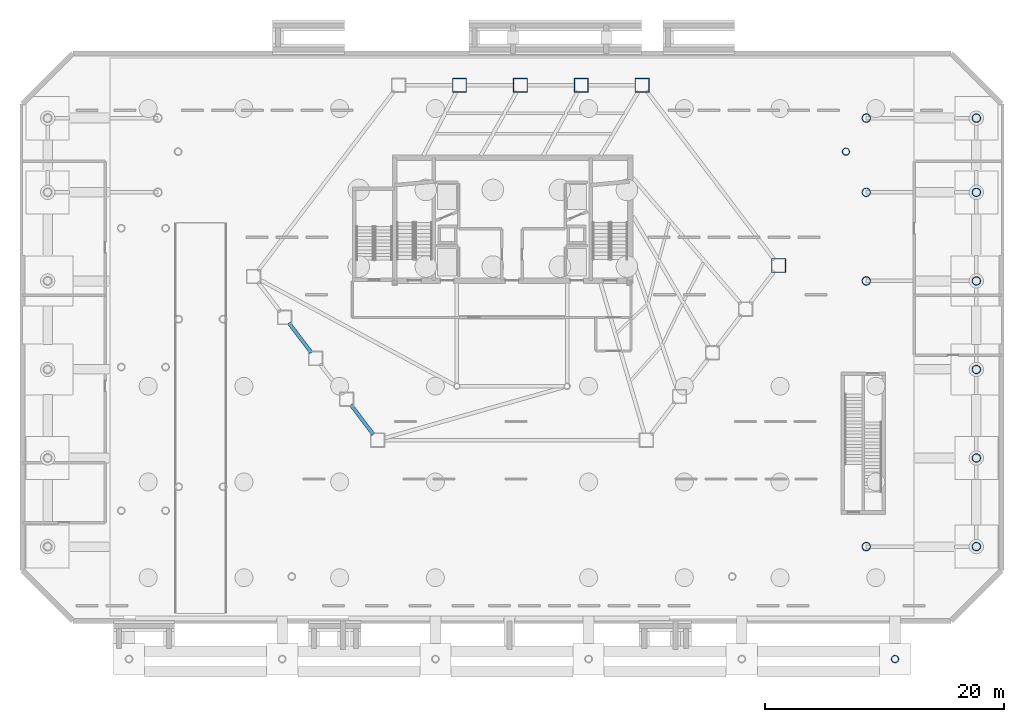
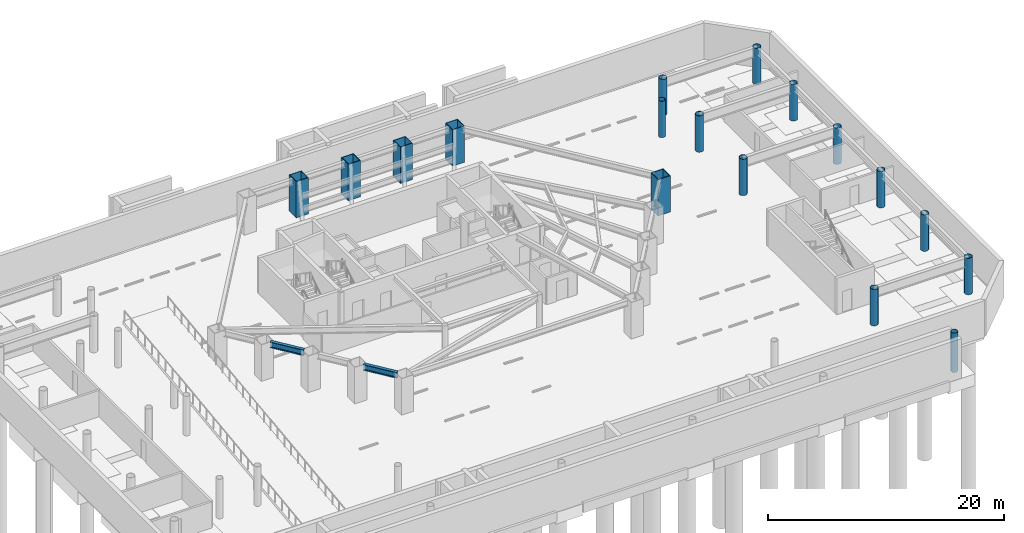
# One storey, part 6 of 19: 17 columns, 2 beams.
"""IFC4 building model written with IfcOpenShell, lengths in metres."""

from ifc_helpers import new_model, si_unit, direction, frame, origin, origin_2d, place, context, subcontext, project, spatial, hollow_rectangle, hollow_circle, i_section, extrude, material, material_profile, profile_set, type_object, element, save


model = new_model("IFC4")

# Units and contexts
model_context = context("Model", 3, precision=1e-05, world=origin(), true_north=direction((0.0, 1.0)))
body_context = subcontext(model_context, "Body", "Model", "MODEL_VIEW")
ifc_project = project(units=[si_unit("LENGTHUNIT", "METRE"), si_unit("AREAUNIT", "SQUARE_METRE"), si_unit("VOLUMEUNIT", "CUBIC_METRE"), si_unit("PLANEANGLEUNIT", "RADIAN"), si_unit("MASSUNIT", "GRAM", prefix="KILO")], contexts=[model_context])

# Site, building, storey
site_placement = place(None, origin())
site = spatial("IfcSite", under=ifc_project, at=site_placement, CompositionType="ELEMENT")
building_placement = place(site_placement, origin())
building = spatial("IfcBuilding", under=site, at=building_placement, Name="Zarrinselat Tower", CompositionType="ELEMENT")
storey_placement = place(building_placement, frame((0.0, 0.0, -8.159912109375)))
storey = spatial("IfcBuildingStorey", under=building, at=storey_placement, Name="B02", CompositionType="ELEMENT", Elevation=-8.159912109375)

# Columns
ifc_material_1 = material(Name="Steel S355J2", Category="steel")
ifc_material_profile_1 = material_profile(ifc_material_1, hollow_circle(Radius=0.304931640625, WallThickness=0.02490234375, at=origin_2d()), Name="CHS 610x25")
ifc_profile_set_1 = profile_set([ifc_material_profile_1], Name="Steel S355J2")
column_type_1 = type_object("IfcColumnType", Name="COL-CHS610", PredefinedType="COLUMN", material=ifc_profile_set_1)
column_1_placement = place(storey_placement, frame((70.39990234375, 1.60009765625, 0.0), z_axis=(0.0, 0.0, 1.0), x_axis=(1.0, 0.0, 0.0)))
element("IfcColumn", 1, at=column_1_placement, inside=storey, type_object=column_type_1, Name="B02 Forecourt Plaza Pier 6", PredefinedType="COLUMN", context=body_context, shape_type="SweptSolid", body=[
    extrude(hollow_circle(Radius=0.304931640625, WallThickness=0.02490234375, at=origin_2d()), origin(), (0.0, 0.0, 1.0), 4.079833984375),
])
column_2_placement = place(storey_placement, frame((66.300048828125, 44.0, 0.0), z_axis=(0.0, 0.0, 1.0), x_axis=(1.0, 0.0, 0.0)))
element("IfcColumn", 2, at=column_2_placement, inside=storey, type_object=column_type_1, Name="B02 Garden Deck Support Column 4", PredefinedType="COLUMN", context=body_context, shape_type="SweptSolid", body=[
    extrude(hollow_circle(Radius=0.304931640625, WallThickness=0.02490234375, at=origin_2d()), origin(), (0.0, 0.0, 1.0), 3.760009765625),
])
ifc_material_2 = material(Name="Steel S460M", Category="steel")
ifc_material_profile_2 = material_profile(ifc_material_2, hollow_circle(Radius=0.35546875, WallThickness=0.030029296875, at=origin_2d()), Name="CHS 711x30")
ifc_profile_set_2 = profile_set([ifc_material_profile_2], Name="Steel S460M")
column_type_2 = type_object("IfcColumnType", Name="COL-CHS711", PredefinedType="COLUMN", material=ifc_profile_set_2)
for number, where, z_axis, x_axis, name in (
    (3, (77.199951171875, 11.0, 0.0), (0.0, 0.0, 1.0), (1.0, 0.0, 0.0), "B02 Podium Outer Column E-11"),
    (4, (68.0, 11.0, 0.0), (0.0, 0.0, 1.0), (1.0, 0.0, 0.0), "B02 Podium Anchor Column E-11"),
    (5, (77.199951171875, 33.199951171875, 0.0), (0.0, 0.0, 1.0), (1.0, 0.0, 0.0), "B02 Podium Outer Column E-33"),
    (6, (68.0, 33.199951171875, 0.0), (0.0, 0.0, 1.0), (1.0, 0.0, 0.0), "B02 Podium Anchor Column E-33"),
    (7, (77.199951171875, 40.60009765625, 0.0), (0.0, 0.0, 1.0), (1.0, 0.0, 0.0), "B02 Podium Outer Column E-40"),
    (8, (68.0, 40.60009765625, 0.0), (0.0, 0.0, 1.0), (1.0, 0.0, 0.0), "B02 Podium Anchor Column E-40"),
    (9, (77.199951171875, 46.800048828125, 0.0), (0.0, 0.0, 1.0), (1.0, 0.0, 0.0), "B02 Podium Outer Column E-46"),
    (10, (68.0, 46.800048828125, 0.0), (0.0, 0.0, 1.0), (1.0, 0.0, 0.0), "B02 Podium Anchor Column E-46"),
    (11, (77.199951171875, 18.39990234375, 0.0), (0.0, 0.0, 1.0), (1.0, 0.0, 0.0), "B02 Lower Podium Column 05"),
    (12, (77.199951171875, 25.800048828125, 0.0), (0.0, 0.0, 1.0), (1.0, 0.0, 0.0), "B02 Lower Podium Column 06"),
):
    element("IfcColumn", number, at=place(storey_placement, frame(where, z_axis=z_axis, x_axis=x_axis)), inside=storey, type_object=column_type_2, Name=name, PredefinedType="COLUMN", context=body_context, shape_type="SweptSolid", body=[
        extrude(hollow_circle(Radius=0.35546875, WallThickness=0.030029296875, at=origin_2d()), origin(), (0.0, 0.0, 1.0), 3.760009765625),
    ])
ifc_material_3 = material(Name="Steel S460M", Category="steel")
ifc_material_profile_3 = material_profile(ifc_material_3, hollow_rectangle(XDim=1.199951171875, YDim=1.199951171875, WallThickness=0.06005859375, at=origin_2d()), Name="SHS 1200x1200x60")
ifc_profile_set_3 = profile_set([ifc_material_profile_3], Name="Steel S460M")
column_type_3 = type_object("IfcColumnType", Name="COL-SHS1200", PredefinedType="COLUMN", material=ifc_profile_set_3)
for number, where, z_axis, x_axis, name in (
    (13, (49.277099609375, 49.550048828125, 0.0), (0.0, 0.0, 1.0), (1.0, 0.0, 0.0), "B02 Framed-Tube Column T01"),
    (14, (44.1884765625, 49.550048828125, 0.0), (0.0, 0.0, 1.0), (1.0, 0.0, 0.0), "B02 Framed-Tube Column T02"),
    (15, (39.10009765625, 49.550048828125, 0.0), (0.0, 0.0, 1.0), (1.0, 0.0, 0.0), "B02 Framed-Tube Column T03"),
    (16, (34.011474609375, 49.550048828125, 0.0), (0.0, 0.0, 1.0), (1.0, 0.0, 0.0), "B02 Framed-Tube Column T04"),
    (17, (60.6845703125, 34.491943359375, 0.0), (0.0, 0.0, 1.0), (1.0, 0.0, 0.0), "B02 Framed-Tube Column T15"),
):
    element("IfcColumn", number, at=place(storey_placement, frame(where, z_axis=z_axis, x_axis=x_axis)), inside=storey, type_object=column_type_3, Name=name, PredefinedType="COLUMN", context=body_context, shape_type="SweptSolid", body=[
        extrude(hollow_rectangle(XDim=1.199951171875, YDim=1.199951171875, WallThickness=0.06005859375, at=origin_2d()), origin(), (0.0, 0.0, 1.0), 3.760009765625),
    ])

# Beams
ifc_material_4 = material(Name="Steel S355J2", Category="steel")
ifc_material_profile_4 = material_profile(ifc_material_4, i_section(OverallWidth=0.300048828125, OverallDepth=0.60009765625, WebThickness=0.015380859375, FlangeThickness=0.030029296875, at=origin_2d()), Name="HEB 600")
ifc_profile_set_4 = profile_set([ifc_material_profile_4], Name="Steel S355J2")
beam_type = type_object("IfcBeamType", Name="BM-HEB600", PredefinedType="BEAM", material=ifc_profile_set_4)
beam_1_placement = place(storey_placement, frame((19.760009765625, 29.681396484375, 3.4599609375), z_axis=(0.603821437922, -0.797119609033, 0.0), x_axis=(0.797119609033, 0.603821437922, 0.0)))
element("IfcBeam", 18, at=beam_1_placement, inside=storey, type_object=beam_type, Name="B02 Perimeter Spandrel Girder SP07", PredefinedType="BEAM", context=body_context, shape_type="SweptSolid", body=[
    extrude(i_section(OverallWidth=0.300048828125, OverallDepth=0.60009765625, WebThickness=0.015380859375, FlangeThickness=0.030029296875, at=origin_2d()), origin(), (0.0, 0.0, 1.0), 3.112060546875),
])
beam_2_placement = place(storey_placement, frame((24.938720703125, 22.84521484375, 3.4599609375), z_axis=(0.603859198483, -0.797091003843, 0.0), x_axis=(0.797091003843, 0.603859198483, 0.0)))
element("IfcBeam", 19, at=beam_2_placement, inside=storey, type_object=beam_type, Name="B02 Perimeter Spandrel Girder SP09", PredefinedType="BEAM", context=body_context, shape_type="SweptSolid", body=[
    extrude(i_section(OverallWidth=0.300048828125, OverallDepth=0.60009765625, WebThickness=0.015380859375, FlangeThickness=0.030029296875, at=origin_2d()), origin(), (0.0, 0.0, 1.0), 3.11181640625),
])

save(model, "model.ifc")
